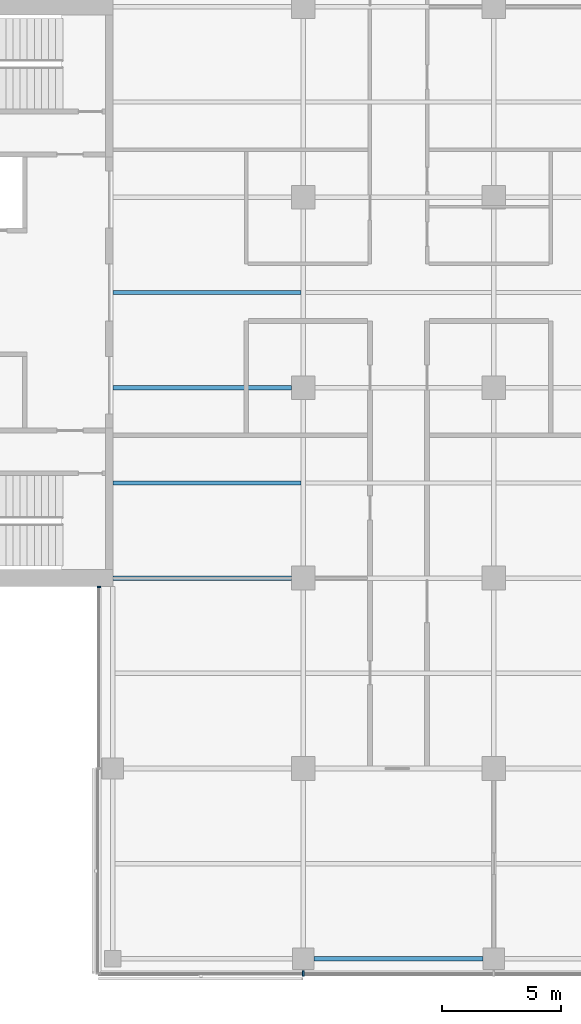
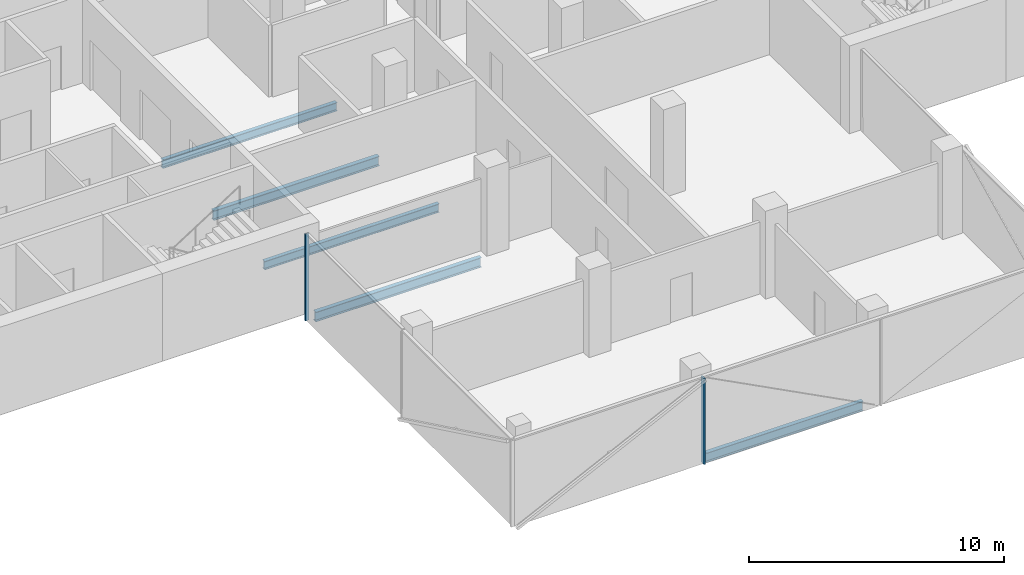
# One storey, part 4 of 22: 5 beams, 2 members, 2 elements without a shape of their own.
"""IFC4 building model written with IfcOpenShell, lengths in metres."""

from ifc_helpers import new_model, si_unit, direction, frame, origin, origin_2d, place, context, subcontext, project, spatial, rectangle, i_section, extrude, material, material_profile, profile_set, type_object, element, aggregate, save


model = new_model("IFC4")

# Units and contexts
model_context = context("Model", 3, precision=1e-05, world=origin(), true_north=direction((0.0, 1.0)))
body_context = subcontext(model_context, "Body", "Model", "MODEL_VIEW")
ifc_project = project(units=[si_unit("LENGTHUNIT", "METRE"), si_unit("AREAUNIT", "SQUARE_METRE"), si_unit("VOLUMEUNIT", "CUBIC_METRE"), si_unit("PLANEANGLEUNIT", "RADIAN"), si_unit("MASSUNIT", "GRAM", prefix="KILO")], contexts=[model_context])

# Site, building, storey
site_placement = place(None, origin())
site = spatial("IfcSite", under=ifc_project, at=site_placement, CompositionType="ELEMENT")
building_placement = place(site_placement, origin())
building = spatial("IfcBuilding", under=site, at=building_placement, Name="Crosswind Convention Tower", CompositionType="ELEMENT")
storey_placement = place(building_placement, frame((0.0, 0.0, 146.300048828125)))
storey = spatial("IfcBuildingStorey", under=building, at=storey_placement, Name="L30", CompositionType="ELEMENT", Elevation=146.300048828125)

# Beams
ifc_material_1 = material(Name="Steel S355", Category="steel")
ifc_material_profile_1 = material_profile(ifc_material_1, i_section(OverallWidth=0.18994140625, OverallDepth=0.45361328125, WebThickness=0.008544921875, FlangeThickness=0.0126953125, FilletRadius=0.01025390625, at=origin_2d()), Name="UB 457x191x67")
ifc_profile_set_1 = profile_set([ifc_material_profile_1], Name="Steel S355")
beam_type_1 = type_object("IfcBeamType", Name="Edge beam UB 457x191x67", PredefinedType="SPANDREL", material=ifc_profile_set_1)
beam_placement = place(storey_placement, frame((121.449951171875, 72.0, -0.52685546875), z_axis=(1.0, 0.0, 0.0), x_axis=(0.0, 1.0, 0.0)))
element("IfcBeam", 1, at=beam_placement, inside=storey, type_object=beam_type_1, Name="B16 L30 edge beam 12", PredefinedType="SPANDREL", context=body_context, shape_type="SweptSolid", body=[
    extrude(i_section(OverallWidth=0.18994140625, OverallDepth=0.45361328125, WebThickness=0.008544921875, FlangeThickness=0.0126953125, FilletRadius=0.01025390625, at=origin_2d()), origin(), (0.0, 0.0, 1.0), 7.10009765625),
])
ifc_material_profile_2 = material_profile(ifc_material_1, i_section(OverallWidth=0.19189453125, OverallDepth=0.463623046875, WebThickness=0.010498046875, FlangeThickness=0.017578125, FilletRadius=0.01025390625, at=origin_2d()), Name="UB 457x191x90")
ifc_profile_set_2 = profile_set([ifc_material_profile_2], Name="Steel S355")
beam_type_2 = type_object("IfcBeamType", Name="Girder at core wall UB 457x191x90", PredefinedType="BEAM", material=ifc_profile_set_2)
for number, where, z_axis, x_axis, name in (
    (2, (113.0, 88.0, -0.53173828125), (1.0, 0.0, 0.0), (0.0, 1.0, 0.0), "B24 L30 girder at core wall 3"),
    (3, (113.0, 96.0, -0.53173828125), (1.0, 0.0, 0.0), (0.0, 1.0, 0.0), "B24 L30 girder at core wall 4"),
):
    element("IfcBeam", number, at=place(storey_placement, frame(where, z_axis=z_axis, x_axis=x_axis)), inside=storey, type_object=beam_type_2, Name=name, PredefinedType="BEAM", context=body_context, shape_type="SweptSolid", body=[
        extrude(i_section(OverallWidth=0.19189453125, OverallDepth=0.463623046875, WebThickness=0.010498046875, FlangeThickness=0.017578125, FilletRadius=0.01025390625, at=origin_2d()), origin(), (0.0, 0.0, 1.0), 7.5),
    ])

# Curtain wall, member
ifc_material_2 = material(Name="Aluminium unitised curtain wall", Category="aluminium")
curtain_wall_type_1 = type_object("IfcCurtainWallType", Name="CORE END SLOT WALL 160", PredefinedType="USERDEFINED", material=ifc_material_2)
curtain_wall_1_placement = place(storey_placement, origin())
curtain_wall_1 = element("IfcCurtainWall", 4, at=curtain_wall_1_placement, inside=storey, type_object=curtain_wall_type_1, Name="CW6 L30 S-W.1-1 slot", ObjectType="UNITISED", PredefinedType="USERDEFINED")
ifc_material_3 = material(Name="Aluminium mullion", Category="aluminium")
ifc_material_profile_3 = material_profile(ifc_material_3, rectangle(XDim=0.159912109375, YDim=0.050048828125, at=origin_2d()), Name="AL 160X50")
ifc_profile_set_3 = profile_set([ifc_material_profile_3], Name="Aluminium mullion")
member_type_1 = type_object("IfcMemberType", Name="MULLION 50X160", PredefinedType="MULLION", material=ifc_profile_set_3)
member_1_placement = place(storey_placement, frame((112.419921875, 87.625, -0.300048828125), z_axis=(0.0, 0.0, 1.0), x_axis=(-1.0, 0.0, 0.0)))
member_1 = element("IfcMember", 5, at=member_1_placement, type_object=member_type_1, Name="CW6 mullion 1", PredefinedType="MULLION", context=body_context, shape_type="SweptSolid", body=[
    extrude(rectangle(XDim=0.159912109375, YDim=0.050048828125, at=origin_2d()), origin(), (0.0, 0.0, 1.0), 4.14990234375),
])
aggregate(curtain_wall_1, [member_1])

curtain_wall_type_2 = type_object("IfcCurtainWallType", Name="OFFICE UNITISED WALL 220", PredefinedType="USERDEFINED", material=ifc_material_2)
curtain_wall_2_placement = place(storey_placement, origin())
curtain_wall_2 = element("IfcCurtainWall", 6, at=curtain_wall_2_placement, inside=storey, type_object=curtain_wall_type_2, Name="CW3 L30 S-TIP 1", ObjectType="UNITISED", PredefinedType="USERDEFINED")
ifc_material_profile_4 = material_profile(ifc_material_3, rectangle(XDim=0.219970703125, YDim=0.070068359375, at=origin_2d()), Name="AL 220X70")
ifc_profile_set_4 = profile_set([ifc_material_profile_4], Name="Aluminium mullion")
member_type_2 = type_object("IfcMemberType", Name="MULLION 70X220", PredefinedType="MULLION", material=ifc_profile_set_4)
member_2_placement = place(storey_placement, frame((121.0, 71.389892578125, -0.300048828125), z_axis=(0.0, 0.0, 1.0), x_axis=(0.0, -1.0, 0.0)))
member_2 = element("IfcMember", 7, at=member_2_placement, type_object=member_type_2, Name="CW3 mullion 2", PredefinedType="MULLION", context=body_context, shape_type="SweptSolid", body=[
    extrude(rectangle(XDim=0.219970703125, YDim=0.070068359375, at=origin_2d()), origin(), (0.0, 0.0, 1.0), 4.1298828125),
])
aggregate(curtain_wall_2, [member_2])

# Beams
ifc_material_profile_5 = material_profile(ifc_material_1, i_section(OverallWidth=0.177734375, OverallDepth=0.406494140625, WebThickness=0.0078125, FlangeThickness=0.0126953125, FilletRadius=0.01025390625, at=origin_2d()), Name="UB 406x178x60")
ifc_profile_set_5 = profile_set([ifc_material_profile_5], Name="Steel S355")
beam_type_3 = type_object("IfcBeamType", Name="Secondary beam UB 406x178x60", PredefinedType="JOIST", material=ifc_profile_set_5)
for number, where, z_axis, x_axis, name in (
    (8, (113.0, 92.0, -0.503173828125), (1.0, 0.0, 0.0), (0.0, 1.0, 0.0), "B10 L30 secondary beam 4"),
    (9, (113.0, 100.0, -0.503173828125), (1.0, 0.0, 0.0), (0.0, 1.0, 0.0), "B10 L30 secondary beam 5"),
):
    element("IfcBeam", number, at=place(storey_placement, frame(where, z_axis=z_axis, x_axis=x_axis)), inside=storey, type_object=beam_type_3, Name=name, PredefinedType="JOIST", context=body_context, shape_type="SweptSolid", body=[
        extrude(i_section(OverallWidth=0.177734375, OverallDepth=0.406494140625, WebThickness=0.0078125, FlangeThickness=0.0126953125, FilletRadius=0.01025390625, at=origin_2d()), origin(), (0.0, 0.0, 1.0), 7.904296875),
    ])

save(model, "model.ifc")
